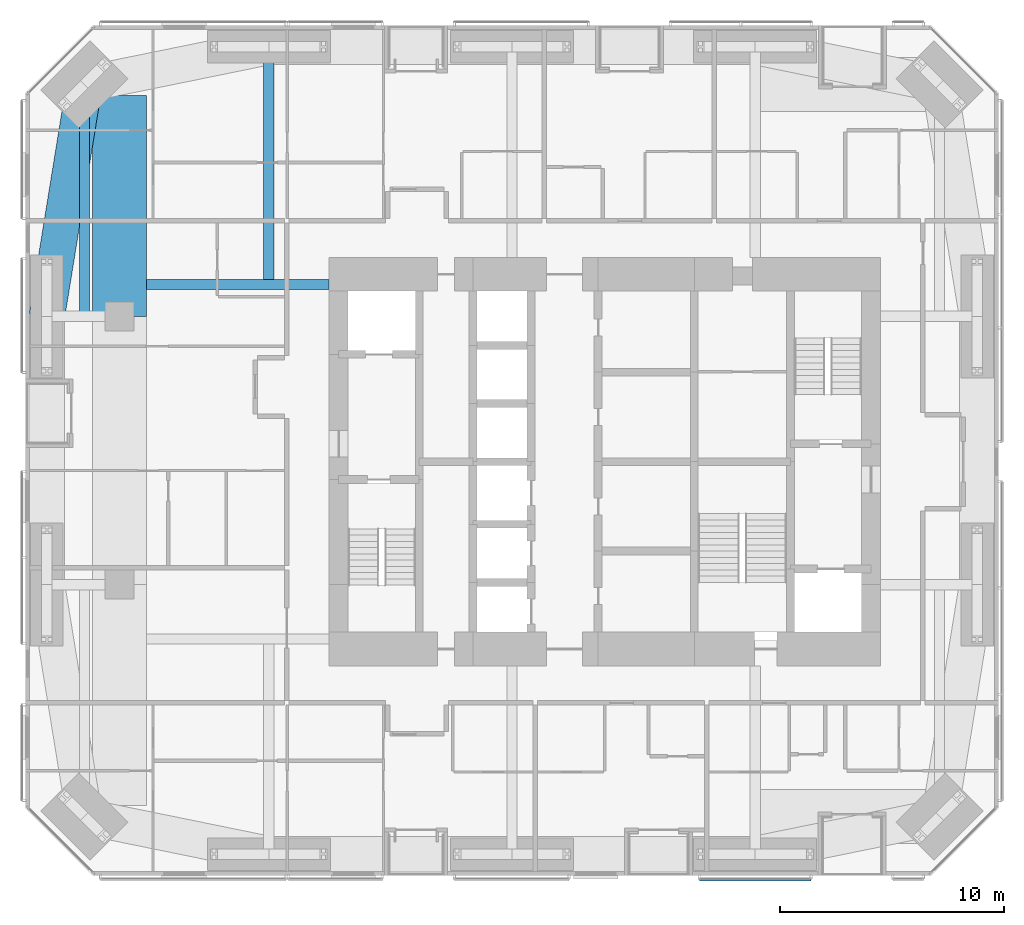
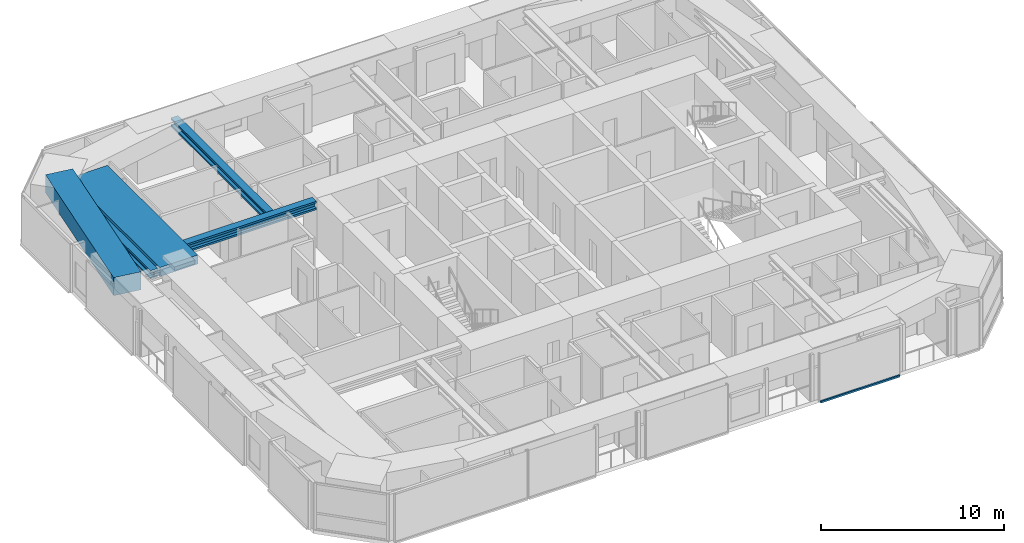
# One storey, part 8 of 25: 5 beams, 1 member, 1 element without a shape of its own.
"""IFC4 building model written with IfcOpenShell, lengths in metres."""

from ifc_helpers import new_model, si_unit, direction, frame, origin, origin_2d, place, context, subcontext, project, spatial, rectangle, i_section, extrude, material, material_profile, profile_set, type_object, element, aggregate, save


model = new_model("IFC4")

# Units and contexts
model_context = context("Model", 3, precision=1e-05, world=origin(), true_north=direction((0.0, 1.0)))
body_context = subcontext(model_context, "Body", "Model", "MODEL_VIEW")
ifc_project = project(units=[si_unit("LENGTHUNIT", "METRE"), si_unit("AREAUNIT", "SQUARE_METRE"), si_unit("VOLUMEUNIT", "CUBIC_METRE"), si_unit("PLANEANGLEUNIT", "RADIAN"), si_unit("MASSUNIT", "GRAM", prefix="KILO")], contexts=[model_context])

# Site, building, storey
site_placement = place(None, origin())
site = spatial("IfcSite", under=ifc_project, at=site_placement, CompositionType="ELEMENT")
building_placement = place(site_placement, origin())
building = spatial("IfcBuilding", under=site, at=building_placement, Name="Jalousie Tower", CompositionType="ELEMENT")
storey_placement = place(building_placement, frame((0.0, 0.0, 98.14990234375)))
storey = spatial("IfcBuildingStorey", under=building, at=storey_placement, Name="L26", CompositionType="ELEMENT", Elevation=98.14990234375)

# Beams
ifc_material_1 = material(Name="Steel ASTM A992 Grade 50", Category="steel")
ifc_material_profile_1 = material_profile(ifc_material_1, i_section(OverallWidth=0.45458984375, OverallDepth=0.569091796875, WebThickness=0.077880859375, FlangeThickness=0.124755859375, at=origin_2d()), Name="W14X730")
ifc_profile_set_1 = profile_set([ifc_material_profile_1], Name="Steel ASTM A992 Grade 50")
beam_type_1 = type_object("IfcBeamType", Name="LEAN COLLECTOR W14X730", PredefinedType="BEAM", material=ifc_profile_set_1)
beam_1_placement = place(storey_placement, frame((11.39990234375, 26.425048828125, 2.82568359375), z_axis=(1.0, 0.0, 0.0), x_axis=(0.0, 1.0, 0.0)))
element("IfcBeam", 1, at=beam_1_placement, inside=storey, type_object=beam_type_1, Name="Lean collector under L27", PredefinedType="BEAM", context=body_context, shape_type="SweptSolid", body=[
    extrude(i_section(OverallWidth=0.45458984375, OverallDepth=0.569091796875, WebThickness=0.077880859375, FlangeThickness=0.124755859375, at=origin_2d()), origin(), (0.0, 0.0, 1.0), 8.175048828125),
])
beam_2_placement = place(storey_placement, frame((8.63134765625, 35.36865234375, 2.82568359375), z_axis=(0.0, -1.0, 0.0), x_axis=(1.0, 0.0, 0.0)))
element("IfcBeam", 2, at=beam_2_placement, inside=storey, type_object=beam_type_1, Name="Lean collector under L27", PredefinedType="BEAM", context=body_context, shape_type="SweptSolid", body=[
    extrude(i_section(OverallWidth=0.45458984375, OverallDepth=0.569091796875, WebThickness=0.077880859375, FlangeThickness=0.124755859375, at=origin_2d()), origin(), (0.0, 0.0, 1.0), 10.36865234375),
])
beam_3_placement = place(storey_placement, frame((16.875, 37.050048828125, 2.82568359375), z_axis=(0.0, -1.0, 0.0), x_axis=(1.0, 0.0, 0.0)))
element("IfcBeam", 3, at=beam_3_placement, inside=storey, type_object=beam_type_1, Name="Lean collector under L27", PredefinedType="BEAM", context=body_context, shape_type="SweptSolid", body=[
    extrude(i_section(OverallWidth=0.45458984375, OverallDepth=0.569091796875, WebThickness=0.077880859375, FlangeThickness=0.124755859375, at=origin_2d()), origin(), (0.0, 0.0, 1.0), 10.625),
])
ifc_material_2 = material(Name="Concrete f'c 40 MPa", Category="concrete")
ifc_material_profile_2 = material_profile(ifc_material_2, rectangle(XDim=1.60009765625, YDim=1.199951171875, at=origin_2d()), Name="RC 1600x1200")
ifc_profile_set_2 = profile_set([ifc_material_profile_2], Name="Concrete f'c 40 MPa")
beam_type_2 = type_object("IfcBeamType", Name="RC BEAM 1600x1200", PredefinedType="BEAM", material=ifc_profile_set_2)
beam_4_placement = place(storey_placement, frame((8.63134765625, 35.36865234375, 2.75), z_axis=(-0.160070546476, -0.987105577003, 0.0), x_axis=(0.987105577003, -0.160070546476, 0.0)))
element("IfcBeam", 4, at=beam_4_placement, inside=storey, type_object=beam_type_2, Name="Edge band beam 12-13 under L27", PredefinedType="BEAM", context=body_context, shape_type="SweptSolid", body=[
    extrude(rectangle(XDim=1.60009765625, YDim=1.199951171875, at=origin_2d()), origin(), (0.0, 0.0, 1.0), 10.504150390625),
])
ifc_material_3 = material(Name="Concrete f'c 40 MPa", Category="concrete")
ifc_material_profile_3 = material_profile(ifc_material_3, rectangle(XDim=2.39990234375, YDim=0.60009765625, at=origin_2d()), Name="RC 2400x600")
ifc_profile_set_3 = profile_set([ifc_material_profile_3], Name="Concrete f'c 40 MPa")
beam_type_3 = type_object("IfcBeamType", Name="RC BEAM 2400x600", PredefinedType="BEAM", material=ifc_profile_set_3)
beam_5_placement = place(storey_placement, frame((10.199951171875, 25.0, 2.81005859375), z_axis=(0.0, 1.0, 0.0), x_axis=(-1.0, 0.0, 0.0)))
element("IfcBeam", 5, at=beam_5_placement, inside=storey, type_object=beam_type_3, Name="Floor band beam under L27", PredefinedType="BEAM", context=body_context, shape_type="SweptSolid", body=[
    extrude(rectangle(XDim=2.39990234375, YDim=0.60009765625, at=origin_2d()), origin(), (0.0, 0.0, 1.0), 9.8720703125),
])

# Curtain wall, member
ifc_material_4 = material(Name="Perforated aluminium sheet", Category="aluminium")
curtain_wall_type = type_object("IfcCurtainWallType", Name="SOLAR SCREEN SS-1", PredefinedType="USERDEFINED", material=ifc_material_4)
curtain_wall_placement = place(storey_placement, origin())
curtain_wall = element("IfcCurtainWall", 6, at=curtain_wall_placement, inside=storey, type_object=curtain_wall_type, Name="Solar screen L26", ObjectType="SOLAR SCREEN SS-1", PredefinedType="USERDEFINED")
ifc_material_5 = material(Name="Extruded aluminium screen rail", Category="aluminium")
ifc_material_profile_4 = material_profile(ifc_material_5, rectangle(XDim=0.1015625, YDim=0.1201171875, at=origin_2d()), Name="RAIL 102x120")
ifc_profile_set_4 = profile_set([ifc_material_profile_4], Name="Extruded aluminium screen rail")
member_type = type_object("IfcMemberType", Name="SOLAR SCREEN SS-1 TRANSOM", PredefinedType="USERDEFINED", material=ifc_profile_set_4)
member_placement = place(storey_placement, frame((36.125, -0.1982421875, -0.059814453125), z_axis=(1.0, 0.0, 0.0), x_axis=(0.0, 1.0, 0.0)))
member = element("IfcMember", 7, at=member_placement, type_object=member_type, Name="SS1 rail", ObjectType="TRANSOM", PredefinedType="USERDEFINED", context=body_context, shape_type="SweptSolid", body=[
    extrude(rectangle(XDim=0.1015625, YDim=0.1201171875, at=origin_2d()), origin(), (0.0, 0.0, 1.0), 5.0),
])
aggregate(curtain_wall, [member])

save(model, "model.ifc")
